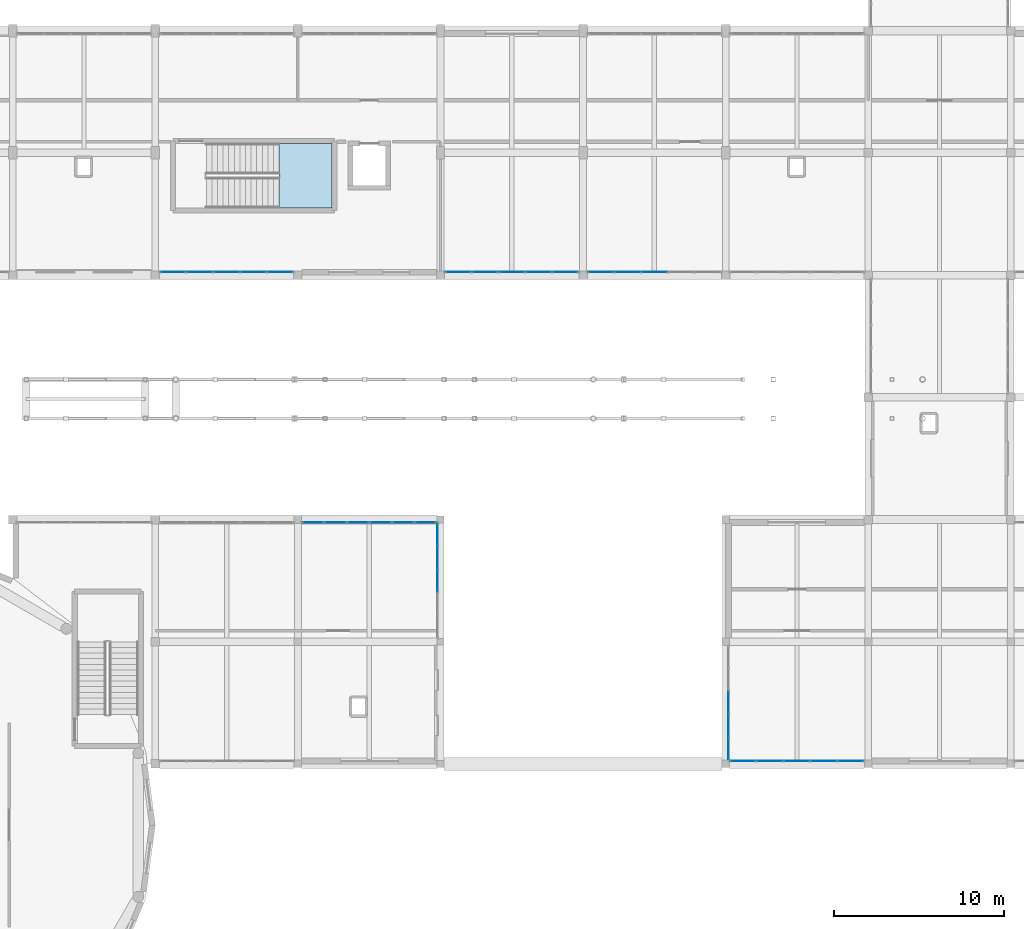
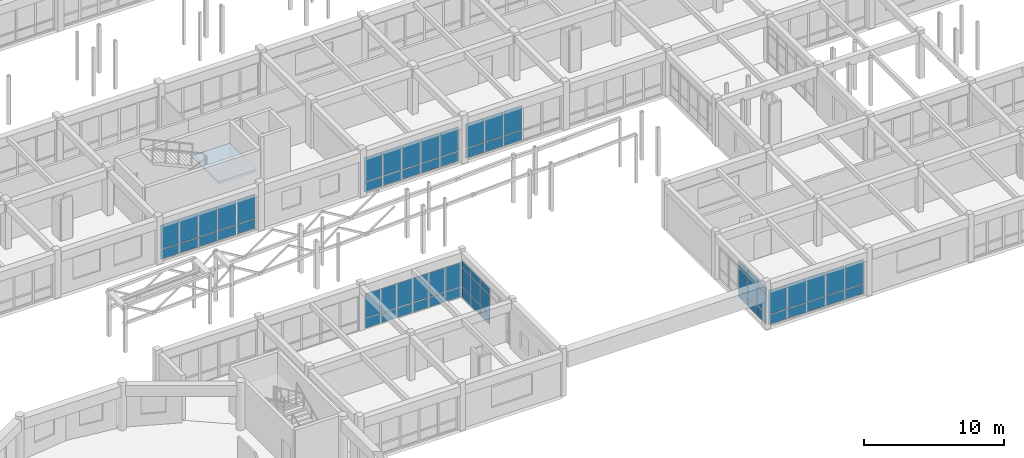
# One storey, part 102 of 147: 66 plates, 1 slab, 8 elements without a shape of their own.
"""IFC4 building model written with IfcOpenShell, lengths in metres."""

from ifc_helpers import new_model, si_unit, direction, frame, origin, origin_2d, place, context, subcontext, project, spatial, polyline, rectangle, outline, extrude, material, layer, layer_set, type_object, element, aggregate, save


model = new_model("IFC4")

# Units and contexts
model_context = context("Model", 3, precision=1e-05, world=origin(), true_north=direction((0.0, 1.0)))
body_context = subcontext(model_context, "Body", "Model", "MODEL_VIEW")
ifc_project = project(units=[si_unit("LENGTHUNIT", "METRE"), si_unit("AREAUNIT", "SQUARE_METRE"), si_unit("VOLUMEUNIT", "CUBIC_METRE"), si_unit("PLANEANGLEUNIT", "RADIAN"), si_unit("MASSUNIT", "GRAM", prefix="KILO")], contexts=[model_context])

# Site, building, storey
site_placement = place(None, origin())
site = spatial("IfcSite", under=ifc_project, at=site_placement, CompositionType="ELEMENT")
building_placement = place(site_placement, origin())
building = spatial("IfcBuilding", under=site, at=building_placement, Name="Malvenik Polytechnic", CompositionType="ELEMENT")
storey_placement = place(building_placement, frame((0.0, 0.0, 5.10009765625)))
storey = spatial("IfcBuildingStorey", under=building, at=storey_placement, Name="L01", CompositionType="ELEMENT", Elevation=5.10009765625)

# Curtain wall, plates
ifc_material_1 = material(Name="Anodised aluminium 6060-T6", Category="aluminium")
curtain_wall_type_1 = type_object("IfcCurtainWallType", Name="ARC-CW-CW-02", PredefinedType="NOTDEFINED", material=ifc_material_1)
curtain_wall_1_placement = place(storey_placement, origin())
curtain_wall_1 = element("IfcCurtainWall", 1, at=curtain_wall_1_placement, inside=storey, type_object=curtain_wall_type_1, Name="Unitised Curtain Wall CW-02 L01 #115", PredefinedType="NOTDEFINED")
ifc_material_2 = material(Name="Insulated low-E double glazing 8-16-8", Category="glass")
ifc_layer_1 = layer(ifc_material_2, 0.028076171875)
ifc_layer_set_1 = layer_set([ifc_layer_1], Name="Insulated low-E double glazing 8-16-8")
plate_type_1 = type_object("IfcPlateType", Name="ARC-CWP-CP-GLZ28", PredefinedType="CURTAIN_PANEL", material=ifc_layer_set_1)
plate_1_placement = place(storey_placement, frame((74.566650390625, 21.77001953125, 0.929931640625), z_axis=(0.0, 0.0, 1.0), x_axis=(-1.0, 0.0, 0.0)))
plate_1 = element("IfcPlate", 2, at=plate_1_placement, type_object=plate_type_1, Name="CW-02 panel 1.2", PredefinedType="CURTAIN_PANEL", context=body_context, shape_type="SweptSolid", body=[
    extrude(rectangle(XDim=1.500732421875, YDim=0.028076171875, at=origin_2d()), origin(), (0.0, 0.0, 1.0), 2.1201171875),
])
plate_2_placement = place(storey_placement, frame((72.99072265625, 21.77001953125, 0.929931640625), z_axis=(0.0, 0.0, 1.0), x_axis=(-1.0, 0.0, 0.0)))
plate_2 = element("IfcPlate", 3, at=plate_2_placement, type_object=plate_type_1, Name="CW-02 panel 2.2", PredefinedType="CURTAIN_PANEL", context=body_context, shape_type="SweptSolid", body=[
    extrude(rectangle(XDim=1.53076171875, YDim=0.028076171875, at=origin_2d()), origin(), (0.0, 0.0, 1.0), 2.1201171875),
])
plate_3_placement = place(storey_placement, frame((71.39990234375, 21.77001953125, 0.929931640625), z_axis=(0.0, 0.0, 1.0), x_axis=(-1.0, 0.0, 0.0)))
plate_3 = element("IfcPlate", 4, at=plate_3_placement, type_object=plate_type_1, Name="CW-02 panel 3.2", PredefinedType="CURTAIN_PANEL", context=body_context, shape_type="SweptSolid", body=[
    extrude(rectangle(XDim=1.53076171875, YDim=0.028076171875, at=origin_2d()), origin(), (0.0, 0.0, 1.0), 2.1201171875),
])
plate_4_placement = place(storey_placement, frame((69.80908203125, 21.77001953125, 0.929931640625), z_axis=(0.0, 0.0, 1.0), x_axis=(-1.0, 0.0, 0.0)))
plate_4 = element("IfcPlate", 5, at=plate_4_placement, type_object=plate_type_1, Name="CW-02 panel 4.2", PredefinedType="CURTAIN_PANEL", context=body_context, shape_type="SweptSolid", body=[
    extrude(rectangle(XDim=1.53076171875, YDim=0.028076171875, at=origin_2d()), origin(), (0.0, 0.0, 1.0), 2.1201171875),
])
plate_5_placement = place(storey_placement, frame((68.2333984375, 21.77001953125, 0.929931640625), z_axis=(0.0, 0.0, 1.0), x_axis=(-1.0, 0.0, 0.0)))
plate_5 = element("IfcPlate", 6, at=plate_5_placement, type_object=plate_type_1, Name="CW-02 panel 5.2", PredefinedType="CURTAIN_PANEL", context=body_context, shape_type="SweptSolid", body=[
    extrude(rectangle(XDim=1.500732421875, YDim=0.028076171875, at=origin_2d()), origin(), (0.0, 0.0, 1.0), 2.1201171875),
])

curtain_wall_type_2 = type_object("IfcCurtainWallType", Name="ARC-CW-CW-05", PredefinedType="NOTDEFINED", material=ifc_material_1)
curtain_wall_2_placement = place(storey_placement, origin())
curtain_wall_2 = element("IfcCurtainWall", 7, at=curtain_wall_2_placement, inside=storey, type_object=curtain_wall_type_2, Name="Unitised Curtain Wall CW-05 L01 #116", PredefinedType="NOTDEFINED")
plate_6_placement = place(storey_placement, frame((67.3701171875, 22.513427734375, 0.97998046875), z_axis=(0.0, 0.0, 1.0), x_axis=(0.0, 1.0, 0.0)))
plate_6 = element("IfcPlate", 8, at=plate_6_placement, type_object=plate_type_1, Name="CW-05 panel 1.2", PredefinedType="CURTAIN_PANEL", context=body_context, shape_type="SweptSolid", body=[
    extrude(rectangle(XDim=1.2607421875, YDim=0.028076171875, at=origin_2d()), origin(), (0.0, 0.0, 1.0), 1.64990234375),
])
plate_7_placement = place(storey_placement, frame((67.3701171875, 22.513427734375, 2.68994140625), z_axis=(0.0, 0.0, 1.0), x_axis=(0.0, 1.0, 0.0)))
plate_7 = element("IfcPlate", 9, at=plate_7_placement, type_object=plate_type_1, Name="CW-05 panel 1.3", PredefinedType="CURTAIN_PANEL", context=body_context, shape_type="SweptSolid", body=[
    extrude(rectangle(XDim=1.2607421875, YDim=0.028076171875, at=origin_2d()), origin(), (0.0, 0.0, 1.0), 0.56005859375),
])
plate_8_placement = place(storey_placement, frame((67.3701171875, 23.84912109375, 0.97998046875), z_axis=(0.0, 0.0, 1.0), x_axis=(0.0, 1.0, 0.0)))
plate_8 = element("IfcPlate", 10, at=plate_8_placement, type_object=plate_type_1, Name="CW-05 panel 2.2", PredefinedType="CURTAIN_PANEL", context=body_context, shape_type="SweptSolid", body=[
    extrude(rectangle(XDim=1.290771484375, YDim=0.028076171875, at=origin_2d()), origin(), (0.0, 0.0, 1.0), 1.64990234375),
])
plate_9_placement = place(storey_placement, frame((67.3701171875, 23.84912109375, 2.68994140625), z_axis=(0.0, 0.0, 1.0), x_axis=(0.0, 1.0, 0.0)))
plate_9 = element("IfcPlate", 11, at=plate_9_placement, type_object=plate_type_1, Name="CW-05 panel 2.3", PredefinedType="CURTAIN_PANEL", context=body_context, shape_type="SweptSolid", body=[
    extrude(rectangle(XDim=1.290771484375, YDim=0.028076171875, at=origin_2d()), origin(), (0.0, 0.0, 1.0), 0.56005859375),
])
plate_10_placement = place(storey_placement, frame((67.3701171875, 25.199951171875, 0.97998046875), z_axis=(0.0, 0.0, 1.0), x_axis=(0.0, 1.0, 0.0)))
plate_10 = element("IfcPlate", 12, at=plate_10_placement, type_object=plate_type_1, Name="CW-05 panel 3.2", PredefinedType="CURTAIN_PANEL", context=body_context, shape_type="SweptSolid", body=[
    extrude(rectangle(XDim=1.290771484375, YDim=0.028076171875, at=origin_2d()), origin(), (0.0, 0.0, 1.0), 1.64990234375),
])
plate_11_placement = place(storey_placement, frame((67.3701171875, 25.199951171875, 2.68994140625), z_axis=(0.0, 0.0, 1.0), x_axis=(0.0, 1.0, 0.0)))
plate_11 = element("IfcPlate", 13, at=plate_11_placement, type_object=plate_type_1, Name="CW-05 panel 3.3", PredefinedType="CURTAIN_PANEL", context=body_context, shape_type="SweptSolid", body=[
    extrude(rectangle(XDim=1.290771484375, YDim=0.028076171875, at=origin_2d()), origin(), (0.0, 0.0, 1.0), 0.56005859375),
])

curtain_wall_3_placement = place(storey_placement, origin())
curtain_wall_3 = element("IfcCurtainWall", 14, at=curtain_wall_3_placement, inside=storey, type_object=curtain_wall_type_1, Name="Unitised Curtain Wall CW-02 L01 #119", PredefinedType="NOTDEFINED")
plate_12_placement = place(storey_placement, frame((63.0, 50.570068359375, 0.929931640625), z_axis=(0.0, 0.0, 1.0), x_axis=(-1.0, 0.0, 0.0)))
plate_12 = element("IfcPlate", 15, at=plate_12_placement, type_object=plate_type_1, Name="CW-02 panel 3.2", PredefinedType="CURTAIN_PANEL", context=body_context, shape_type="SweptSolid", body=[
    extrude(rectangle(XDim=1.520751953125, YDim=0.028076171875, at=origin_2d()), origin(), (0.0, 0.0, 1.0), 2.1201171875),
])
plate_13_placement = place(storey_placement, frame((61.419189453125, 50.570068359375, 0.929931640625), z_axis=(0.0, 0.0, 1.0), x_axis=(-1.0, 0.0, 0.0)))
plate_13 = element("IfcPlate", 16, at=plate_13_placement, type_object=plate_type_1, Name="CW-02 panel 4.2", PredefinedType="CURTAIN_PANEL", context=body_context, shape_type="SweptSolid", body=[
    extrude(rectangle(XDim=1.520751953125, YDim=0.028076171875, at=origin_2d()), origin(), (0.0, 0.0, 1.0), 2.1201171875),
])
plate_14_placement = place(storey_placement, frame((59.853515625, 50.570068359375, 0.929931640625), z_axis=(0.0, 0.0, 1.0), x_axis=(-1.0, 0.0, 0.0)))
plate_14 = element("IfcPlate", 17, at=plate_14_placement, type_object=plate_type_1, Name="CW-02 panel 5.2", PredefinedType="CURTAIN_PANEL", context=body_context, shape_type="SweptSolid", body=[
    extrude(rectangle(XDim=1.49072265625, YDim=0.028076171875, at=origin_2d()), origin(), (0.0, 0.0, 1.0), 2.1201171875),
])

curtain_wall_4_placement = place(storey_placement, origin())
curtain_wall_4 = element("IfcCurtainWall", 18, at=curtain_wall_4_placement, inside=storey, type_object=curtain_wall_type_1, Name="Unitised Curtain Wall CW-02 L01 #120", PredefinedType="NOTDEFINED")
plate_15_placement = place(storey_placement, frame((57.74658203125, 50.570068359375, 0.929931640625), z_axis=(0.0, 0.0, 1.0), x_axis=(-1.0, 0.0, 0.0)))
plate_15 = element("IfcPlate", 19, at=plate_15_placement, type_object=plate_type_1, Name="CW-02 panel 1.2", PredefinedType="CURTAIN_PANEL", context=body_context, shape_type="SweptSolid", body=[
    extrude(rectangle(XDim=1.49072265625, YDim=0.028076171875, at=origin_2d()), origin(), (0.0, 0.0, 1.0), 2.1201171875),
])
plate_16_placement = place(storey_placement, frame((56.180908203125, 50.570068359375, 0.929931640625), z_axis=(0.0, 0.0, 1.0), x_axis=(-1.0, 0.0, 0.0)))
plate_16 = element("IfcPlate", 20, at=plate_16_placement, type_object=plate_type_1, Name="CW-02 panel 2.2", PredefinedType="CURTAIN_PANEL", context=body_context, shape_type="SweptSolid", body=[
    extrude(rectangle(XDim=1.520751953125, YDim=0.028076171875, at=origin_2d()), origin(), (0.0, 0.0, 1.0), 2.1201171875),
])
plate_17_placement = place(storey_placement, frame((54.60009765625, 50.570068359375, 0.929931640625), z_axis=(0.0, 0.0, 1.0), x_axis=(-1.0, 0.0, 0.0)))
plate_17 = element("IfcPlate", 21, at=plate_17_placement, type_object=plate_type_1, Name="CW-02 panel 3.2", PredefinedType="CURTAIN_PANEL", context=body_context, shape_type="SweptSolid", body=[
    extrude(rectangle(XDim=1.520751953125, YDim=0.028076171875, at=origin_2d()), origin(), (0.0, 0.0, 1.0), 2.1201171875),
])
plate_18_placement = place(storey_placement, frame((53.019287109375, 50.570068359375, 0.929931640625), z_axis=(0.0, 0.0, 1.0), x_axis=(-1.0, 0.0, 0.0)))
plate_18 = element("IfcPlate", 22, at=plate_18_placement, type_object=plate_type_1, Name="CW-02 panel 4.2", PredefinedType="CURTAIN_PANEL", context=body_context, shape_type="SweptSolid", body=[
    extrude(rectangle(XDim=1.520751953125, YDim=0.028076171875, at=origin_2d()), origin(), (0.0, 0.0, 1.0), 2.1201171875),
])
plate_19_placement = place(storey_placement, frame((51.453369140625, 50.570068359375, 0.929931640625), z_axis=(0.0, 0.0, 1.0), x_axis=(-1.0, 0.0, 0.0)))
plate_19 = element("IfcPlate", 23, at=plate_19_placement, type_object=plate_type_1, Name="CW-02 panel 5.2", PredefinedType="CURTAIN_PANEL", context=body_context, shape_type="SweptSolid", body=[
    extrude(rectangle(XDim=1.49072265625, YDim=0.028076171875, at=origin_2d()), origin(), (0.0, 0.0, 1.0), 2.1201171875),
])

curtain_wall_5_placement = place(storey_placement, origin())
curtain_wall_5 = element("IfcCurtainWall", 24, at=curtain_wall_5_placement, inside=storey, type_object=curtain_wall_type_1, Name="Unitised Curtain Wall CW-02 L01 #121", PredefinedType="NOTDEFINED")
plate_20_placement = place(storey_placement, frame((40.946533203125, 50.570068359375, 0.929931640625), z_axis=(0.0, 0.0, 1.0), x_axis=(-1.0, 0.0, 0.0)))
plate_20 = element("IfcPlate", 25, at=plate_20_placement, type_object=plate_type_1, Name="CW-02 panel 1.2", PredefinedType="CURTAIN_PANEL", context=body_context, shape_type="SweptSolid", body=[
    extrude(rectangle(XDim=1.49072265625, YDim=0.028076171875, at=origin_2d()), origin(), (0.0, 0.0, 1.0), 2.1201171875),
])
plate_21_placement = place(storey_placement, frame((39.380859375, 50.570068359375, 0.929931640625), z_axis=(0.0, 0.0, 1.0), x_axis=(-1.0, 0.0, 0.0)))
plate_21 = element("IfcPlate", 26, at=plate_21_placement, type_object=plate_type_1, Name="CW-02 panel 2.2", PredefinedType="CURTAIN_PANEL", context=body_context, shape_type="SweptSolid", body=[
    extrude(rectangle(XDim=1.520751953125, YDim=0.028076171875, at=origin_2d()), origin(), (0.0, 0.0, 1.0), 2.1201171875),
])
plate_22_placement = place(storey_placement, frame((37.800048828125, 50.570068359375, 0.929931640625), z_axis=(0.0, 0.0, 1.0), x_axis=(-1.0, 0.0, 0.0)))
plate_22 = element("IfcPlate", 27, at=plate_22_placement, type_object=plate_type_1, Name="CW-02 panel 3.2", PredefinedType="CURTAIN_PANEL", context=body_context, shape_type="SweptSolid", body=[
    extrude(rectangle(XDim=1.520751953125, YDim=0.028076171875, at=origin_2d()), origin(), (0.0, 0.0, 1.0), 2.1201171875),
])
plate_23_placement = place(storey_placement, frame((36.21923828125, 50.570068359375, 0.929931640625), z_axis=(0.0, 0.0, 1.0), x_axis=(-1.0, 0.0, 0.0)))
plate_23 = element("IfcPlate", 28, at=plate_23_placement, type_object=plate_type_1, Name="CW-02 panel 4.2", PredefinedType="CURTAIN_PANEL", context=body_context, shape_type="SweptSolid", body=[
    extrude(rectangle(XDim=1.520751953125, YDim=0.028076171875, at=origin_2d()), origin(), (0.0, 0.0, 1.0), 2.1201171875),
])
plate_24_placement = place(storey_placement, frame((34.6533203125, 50.570068359375, 0.929931640625), z_axis=(0.0, 0.0, 1.0), x_axis=(-1.0, 0.0, 0.0)))
plate_24 = element("IfcPlate", 29, at=plate_24_placement, type_object=plate_type_1, Name="CW-02 panel 5.2", PredefinedType="CURTAIN_PANEL", context=body_context, shape_type="SweptSolid", body=[
    extrude(rectangle(XDim=1.49072265625, YDim=0.028076171875, at=origin_2d()), origin(), (0.0, 0.0, 1.0), 2.1201171875),
])

curtain_wall_6_placement = place(storey_placement, origin())
curtain_wall_6 = element("IfcCurtainWall", 30, at=curtain_wall_6_placement, inside=storey, type_object=curtain_wall_type_1, Name="Unitised Curtain Wall CW-02 L01 #132", PredefinedType="NOTDEFINED")
plate_25_placement = place(storey_placement, frame((42.90283203125, 35.830078125, 0.929931640625), z_axis=(0.0, 0.0, 1.0), x_axis=(1.0, 0.0, 0.0)))
plate_25 = element("IfcPlate", 31, at=plate_25_placement, type_object=plate_type_1, Name="CW-02 panel 1.2", PredefinedType="CURTAIN_PANEL", context=body_context, shape_type="SweptSolid", body=[
    extrude(rectangle(XDim=1.23974609375, YDim=0.028076171875, at=origin_2d()), origin(), (0.0, 0.0, 1.0), 2.1201171875),
])
plate_26_placement = place(storey_placement, frame((44.2177734375, 35.830078125, 0.929931640625), z_axis=(0.0, 0.0, 1.0), x_axis=(1.0, 0.0, 0.0)))
plate_26 = element("IfcPlate", 32, at=plate_26_placement, type_object=plate_type_1, Name="CW-02 panel 2.2", PredefinedType="CURTAIN_PANEL", context=body_context, shape_type="SweptSolid", body=[
    extrude(rectangle(XDim=1.269775390625, YDim=0.028076171875, at=origin_2d()), origin(), (0.0, 0.0, 1.0), 2.1201171875),
])
plate_27_placement = place(storey_placement, frame((45.547607421875, 35.830078125, 0.929931640625), z_axis=(0.0, 0.0, 1.0), x_axis=(1.0, 0.0, 0.0)))
plate_27 = element("IfcPlate", 33, at=plate_27_placement, type_object=plate_type_1, Name="CW-02 panel 3.2", PredefinedType="CURTAIN_PANEL", context=body_context, shape_type="SweptSolid", body=[
    extrude(rectangle(XDim=1.269775390625, YDim=0.028076171875, at=origin_2d()), origin(), (0.0, 0.0, 1.0), 2.1201171875),
])
plate_28_placement = place(storey_placement, frame((46.87744140625, 35.830078125, 0.929931640625), z_axis=(0.0, 0.0, 1.0), x_axis=(1.0, 0.0, 0.0)))
plate_28 = element("IfcPlate", 34, at=plate_28_placement, type_object=plate_type_1, Name="CW-02 panel 4.2", PredefinedType="CURTAIN_PANEL", context=body_context, shape_type="SweptSolid", body=[
    extrude(rectangle(XDim=1.269775390625, YDim=0.028076171875, at=origin_2d()), origin(), (0.0, 0.0, 1.0), 2.1201171875),
])
plate_29_placement = place(storey_placement, frame((48.207275390625, 35.830078125, 0.929931640625), z_axis=(0.0, 0.0, 1.0), x_axis=(1.0, 0.0, 0.0)))
plate_29 = element("IfcPlate", 35, at=plate_29_placement, type_object=plate_type_1, Name="CW-02 panel 5.2", PredefinedType="CURTAIN_PANEL", context=body_context, shape_type="SweptSolid", body=[
    extrude(rectangle(XDim=1.269775390625, YDim=0.028076171875, at=origin_2d()), origin(), (0.0, 0.0, 1.0), 2.1201171875),
])
plate_30_placement = place(storey_placement, frame((49.52197265625, 35.830078125, 0.929931640625), z_axis=(0.0, 0.0, 1.0), x_axis=(1.0, 0.0, 0.0)))
plate_30 = element("IfcPlate", 36, at=plate_30_placement, type_object=plate_type_1, Name="CW-02 panel 6.2", PredefinedType="CURTAIN_PANEL", context=body_context, shape_type="SweptSolid", body=[
    extrude(rectangle(XDim=1.23974609375, YDim=0.028076171875, at=origin_2d()), origin(), (0.0, 0.0, 1.0), 2.1201171875),
])

curtain_wall_7_placement = place(storey_placement, origin())
curtain_wall_7 = element("IfcCurtainWall", 37, at=curtain_wall_7_placement, inside=storey, type_object=curtain_wall_type_2, Name="Unitised Curtain Wall CW-05 L01 #133", PredefinedType="NOTDEFINED")
plate_31_placement = place(storey_placement, frame((50.22998046875, 35.106689453125, 0.97998046875), z_axis=(0.0, 0.0, 1.0), x_axis=(0.0, -1.0, 0.0)))
plate_31 = element("IfcPlate", 38, at=plate_31_placement, type_object=plate_type_1, Name="CW-05 panel 1.2", PredefinedType="CURTAIN_PANEL", context=body_context, shape_type="SweptSolid", body=[
    extrude(rectangle(XDim=1.270751953125, YDim=0.028076171875, at=origin_2d()), origin(), (0.0, 0.0, 1.0), 1.64990234375),
])
plate_32_placement = place(storey_placement, frame((50.22998046875, 35.106689453125, 2.68994140625), z_axis=(0.0, 0.0, 1.0), x_axis=(0.0, -1.0, 0.0)))
plate_32 = element("IfcPlate", 39, at=plate_32_placement, type_object=plate_type_1, Name="CW-05 panel 1.3", PredefinedType="CURTAIN_PANEL", context=body_context, shape_type="SweptSolid", body=[
    extrude(rectangle(XDim=1.270751953125, YDim=0.028076171875, at=origin_2d()), origin(), (0.0, 0.0, 1.0), 0.56005859375),
])
plate_33_placement = place(storey_placement, frame((50.22998046875, 33.7607421875, 0.97998046875), z_axis=(0.0, 0.0, 1.0), x_axis=(0.0, -1.0, 0.0)))
plate_33 = element("IfcPlate", 40, at=plate_33_placement, type_object=plate_type_1, Name="CW-05 panel 2.2", PredefinedType="CURTAIN_PANEL", context=body_context, shape_type="SweptSolid", body=[
    extrude(rectangle(XDim=1.30078125, YDim=0.028076171875, at=origin_2d()), origin(), (0.0, 0.0, 1.0), 1.64990234375),
])
plate_34_placement = place(storey_placement, frame((50.22998046875, 33.7607421875, 2.68994140625), z_axis=(0.0, 0.0, 1.0), x_axis=(0.0, -1.0, 0.0)))
plate_34 = element("IfcPlate", 41, at=plate_34_placement, type_object=plate_type_1, Name="CW-05 panel 2.3", PredefinedType="CURTAIN_PANEL", context=body_context, shape_type="SweptSolid", body=[
    extrude(rectangle(XDim=1.30078125, YDim=0.028076171875, at=origin_2d()), origin(), (0.0, 0.0, 1.0), 0.56005859375),
])
plate_35_placement = place(storey_placement, frame((50.22998046875, 32.39990234375, 0.97998046875), z_axis=(0.0, 0.0, 1.0), x_axis=(0.0, -1.0, 0.0)))
plate_35 = element("IfcPlate", 42, at=plate_35_placement, type_object=plate_type_1, Name="CW-05 panel 3.2", PredefinedType="CURTAIN_PANEL", context=body_context, shape_type="SweptSolid", body=[
    extrude(rectangle(XDim=1.30078125, YDim=0.028076171875, at=origin_2d()), origin(), (0.0, 0.0, 1.0), 1.64990234375),
])
plate_36_placement = place(storey_placement, frame((50.22998046875, 32.39990234375, 2.68994140625), z_axis=(0.0, 0.0, 1.0), x_axis=(0.0, -1.0, 0.0)))
plate_36 = element("IfcPlate", 43, at=plate_36_placement, type_object=plate_type_1, Name="CW-05 panel 3.3", PredefinedType="CURTAIN_PANEL", context=body_context, shape_type="SweptSolid", body=[
    extrude(rectangle(XDim=1.30078125, YDim=0.028076171875, at=origin_2d()), origin(), (0.0, 0.0, 1.0), 0.56005859375),
])

# Plate
ifc_material_3 = material(Name="Insulated aluminium spandrel cassette 42mm", Category="aluminium")
ifc_layer_2 = layer(ifc_material_3, 0.0419921875)
ifc_layer_set_2 = layer_set([ifc_layer_2], Name="Insulated aluminium spandrel cassette 42mm")
plate_type_2 = type_object("IfcPlateType", Name="ARC-CWP-CP-SPN42", PredefinedType="CURTAIN_PANEL", material=ifc_layer_set_2)
plate_37_placement = place(storey_placement, frame((74.566650390625, 21.77001953125, 0.059814453125), z_axis=(0.0, 0.0, 1.0), x_axis=(-1.0, 0.0, 0.0)))
plate_37 = element("IfcPlate", 44, at=plate_37_placement, type_object=plate_type_2, Name="CW-02 panel 1.1", PredefinedType="CURTAIN_PANEL", context=body_context, shape_type="SweptSolid", body=[
    extrude(rectangle(XDim=1.500732421875, YDim=0.028076171875, at=origin_2d()), origin(), (0.0, 0.0, 1.0), 0.81005859375),
])

plate_38_placement = place(storey_placement, frame((72.99072265625, 21.77001953125, 0.059814453125), z_axis=(0.0, 0.0, 1.0), x_axis=(-1.0, 0.0, 0.0)))
plate_38 = element("IfcPlate", 45, at=plate_38_placement, type_object=plate_type_2, Name="CW-02 panel 2.1", PredefinedType="CURTAIN_PANEL", context=body_context, shape_type="SweptSolid", body=[
    extrude(rectangle(XDim=1.53076171875, YDim=0.028076171875, at=origin_2d()), origin(), (0.0, 0.0, 1.0), 0.81005859375),
])

plate_39_placement = place(storey_placement, frame((71.39990234375, 21.77001953125, 0.059814453125), z_axis=(0.0, 0.0, 1.0), x_axis=(-1.0, 0.0, 0.0)))
plate_39 = element("IfcPlate", 46, at=plate_39_placement, type_object=plate_type_2, Name="CW-02 panel 3.1", PredefinedType="CURTAIN_PANEL", context=body_context, shape_type="SweptSolid", body=[
    extrude(rectangle(XDim=1.53076171875, YDim=0.028076171875, at=origin_2d()), origin(), (0.0, 0.0, 1.0), 0.81005859375),
])

plate_40_placement = place(storey_placement, frame((69.80908203125, 21.77001953125, 0.059814453125), z_axis=(0.0, 0.0, 1.0), x_axis=(-1.0, 0.0, 0.0)))
plate_40 = element("IfcPlate", 47, at=plate_40_placement, type_object=plate_type_2, Name="CW-02 panel 4.1", PredefinedType="CURTAIN_PANEL", context=body_context, shape_type="SweptSolid", body=[
    extrude(rectangle(XDim=1.53076171875, YDim=0.028076171875, at=origin_2d()), origin(), (0.0, 0.0, 1.0), 0.81005859375),
])

plate_41_placement = place(storey_placement, frame((68.2333984375, 21.77001953125, 0.059814453125), z_axis=(0.0, 0.0, 1.0), x_axis=(-1.0, 0.0, 0.0)))
plate_41 = element("IfcPlate", 48, at=plate_41_placement, type_object=plate_type_2, Name="CW-02 panel 5.1", PredefinedType="CURTAIN_PANEL", context=body_context, shape_type="SweptSolid", body=[
    extrude(rectangle(XDim=1.500732421875, YDim=0.028076171875, at=origin_2d()), origin(), (0.0, 0.0, 1.0), 0.81005859375),
])

aggregate(curtain_wall_1, [plate_37, plate_1, plate_38, plate_2, plate_39, plate_3, plate_40, plate_4, plate_41, plate_5])

plate_42_placement = place(storey_placement, frame((67.3701171875, 22.513427734375, 0.06005859375), z_axis=(0.0, 0.0, 1.0), x_axis=(0.0, 1.0, 0.0)))
plate_42 = element("IfcPlate", 49, at=plate_42_placement, type_object=plate_type_2, Name="CW-05 panel 1.1", PredefinedType="CURTAIN_PANEL", context=body_context, shape_type="SweptSolid", body=[
    extrude(rectangle(XDim=1.2607421875, YDim=0.028076171875, at=origin_2d()), origin(), (0.0, 0.0, 1.0), 0.860107421875),
])

plate_43_placement = place(storey_placement, frame((67.3701171875, 23.84912109375, 0.06005859375), z_axis=(0.0, 0.0, 1.0), x_axis=(0.0, 1.0, 0.0)))
plate_43 = element("IfcPlate", 50, at=plate_43_placement, type_object=plate_type_2, Name="CW-05 panel 2.1", PredefinedType="CURTAIN_PANEL", context=body_context, shape_type="SweptSolid", body=[
    extrude(rectangle(XDim=1.290771484375, YDim=0.028076171875, at=origin_2d()), origin(), (0.0, 0.0, 1.0), 0.860107421875),
])

plate_44_placement = place(storey_placement, frame((67.3701171875, 25.199951171875, 0.06005859375), z_axis=(0.0, 0.0, 1.0), x_axis=(0.0, 1.0, 0.0)))
plate_44 = element("IfcPlate", 51, at=plate_44_placement, type_object=plate_type_2, Name="CW-05 panel 3.1", PredefinedType="CURTAIN_PANEL", context=body_context, shape_type="SweptSolid", body=[
    extrude(rectangle(XDim=1.290771484375, YDim=0.028076171875, at=origin_2d()), origin(), (0.0, 0.0, 1.0), 0.860107421875),
])

aggregate(curtain_wall_2, [plate_42, plate_6, plate_7, plate_43, plate_8, plate_9, plate_44, plate_10, plate_11])

plate_45_placement = place(storey_placement, frame((63.0, 50.570068359375, 0.059814453125), z_axis=(0.0, 0.0, 1.0), x_axis=(-1.0, 0.0, 0.0)))
plate_45 = element("IfcPlate", 52, at=plate_45_placement, type_object=plate_type_2, Name="CW-02 panel 3.1", PredefinedType="CURTAIN_PANEL", context=body_context, shape_type="SweptSolid", body=[
    extrude(rectangle(XDim=1.520751953125, YDim=0.028076171875, at=origin_2d()), origin(), (0.0, 0.0, 1.0), 0.81005859375),
])

plate_46_placement = place(storey_placement, frame((61.419189453125, 50.570068359375, 0.059814453125), z_axis=(0.0, 0.0, 1.0), x_axis=(-1.0, 0.0, 0.0)))
plate_46 = element("IfcPlate", 53, at=plate_46_placement, type_object=plate_type_2, Name="CW-02 panel 4.1", PredefinedType="CURTAIN_PANEL", context=body_context, shape_type="SweptSolid", body=[
    extrude(rectangle(XDim=1.520751953125, YDim=0.028076171875, at=origin_2d()), origin(), (0.0, 0.0, 1.0), 0.81005859375),
])

plate_47_placement = place(storey_placement, frame((59.853515625, 50.570068359375, 0.059814453125), z_axis=(0.0, 0.0, 1.0), x_axis=(-1.0, 0.0, 0.0)))
plate_47 = element("IfcPlate", 54, at=plate_47_placement, type_object=plate_type_2, Name="CW-02 panel 5.1", PredefinedType="CURTAIN_PANEL", context=body_context, shape_type="SweptSolid", body=[
    extrude(rectangle(XDim=1.49072265625, YDim=0.028076171875, at=origin_2d()), origin(), (0.0, 0.0, 1.0), 0.81005859375),
])

aggregate(curtain_wall_3, [plate_45, plate_12, plate_46, plate_13, plate_47, plate_14])

plate_48_placement = place(storey_placement, frame((57.74658203125, 50.570068359375, 0.059814453125), z_axis=(0.0, 0.0, 1.0), x_axis=(-1.0, 0.0, 0.0)))
plate_48 = element("IfcPlate", 55, at=plate_48_placement, type_object=plate_type_2, Name="CW-02 panel 1.1", PredefinedType="CURTAIN_PANEL", context=body_context, shape_type="SweptSolid", body=[
    extrude(rectangle(XDim=1.49072265625, YDim=0.028076171875, at=origin_2d()), origin(), (0.0, 0.0, 1.0), 0.81005859375),
])

plate_49_placement = place(storey_placement, frame((56.180908203125, 50.570068359375, 0.059814453125), z_axis=(0.0, 0.0, 1.0), x_axis=(-1.0, 0.0, 0.0)))
plate_49 = element("IfcPlate", 56, at=plate_49_placement, type_object=plate_type_2, Name="CW-02 panel 2.1", PredefinedType="CURTAIN_PANEL", context=body_context, shape_type="SweptSolid", body=[
    extrude(rectangle(XDim=1.520751953125, YDim=0.028076171875, at=origin_2d()), origin(), (0.0, 0.0, 1.0), 0.81005859375),
])

plate_50_placement = place(storey_placement, frame((54.60009765625, 50.570068359375, 0.059814453125), z_axis=(0.0, 0.0, 1.0), x_axis=(-1.0, 0.0, 0.0)))
plate_50 = element("IfcPlate", 57, at=plate_50_placement, type_object=plate_type_2, Name="CW-02 panel 3.1", PredefinedType="CURTAIN_PANEL", context=body_context, shape_type="SweptSolid", body=[
    extrude(rectangle(XDim=1.520751953125, YDim=0.028076171875, at=origin_2d()), origin(), (0.0, 0.0, 1.0), 0.81005859375),
])

plate_51_placement = place(storey_placement, frame((53.019287109375, 50.570068359375, 0.059814453125), z_axis=(0.0, 0.0, 1.0), x_axis=(-1.0, 0.0, 0.0)))
plate_51 = element("IfcPlate", 58, at=plate_51_placement, type_object=plate_type_2, Name="CW-02 panel 4.1", PredefinedType="CURTAIN_PANEL", context=body_context, shape_type="SweptSolid", body=[
    extrude(rectangle(XDim=1.520751953125, YDim=0.028076171875, at=origin_2d()), origin(), (0.0, 0.0, 1.0), 0.81005859375),
])

plate_52_placement = place(storey_placement, frame((51.453369140625, 50.570068359375, 0.059814453125), z_axis=(0.0, 0.0, 1.0), x_axis=(-1.0, 0.0, 0.0)))
plate_52 = element("IfcPlate", 59, at=plate_52_placement, type_object=plate_type_2, Name="CW-02 panel 5.1", PredefinedType="CURTAIN_PANEL", context=body_context, shape_type="SweptSolid", body=[
    extrude(rectangle(XDim=1.49072265625, YDim=0.028076171875, at=origin_2d()), origin(), (0.0, 0.0, 1.0), 0.81005859375),
])

aggregate(curtain_wall_4, [plate_48, plate_15, plate_49, plate_16, plate_50, plate_17, plate_51, plate_18, plate_52, plate_19])

plate_53_placement = place(storey_placement, frame((40.946533203125, 50.570068359375, 0.059814453125), z_axis=(0.0, 0.0, 1.0), x_axis=(-1.0, 0.0, 0.0)))
plate_53 = element("IfcPlate", 60, at=plate_53_placement, type_object=plate_type_2, Name="CW-02 panel 1.1", PredefinedType="CURTAIN_PANEL", context=body_context, shape_type="SweptSolid", body=[
    extrude(rectangle(XDim=1.49072265625, YDim=0.028076171875, at=origin_2d()), origin(), (0.0, 0.0, 1.0), 0.81005859375),
])

plate_54_placement = place(storey_placement, frame((39.380859375, 50.570068359375, 0.059814453125), z_axis=(0.0, 0.0, 1.0), x_axis=(-1.0, 0.0, 0.0)))
plate_54 = element("IfcPlate", 61, at=plate_54_placement, type_object=plate_type_2, Name="CW-02 panel 2.1", PredefinedType="CURTAIN_PANEL", context=body_context, shape_type="SweptSolid", body=[
    extrude(rectangle(XDim=1.520751953125, YDim=0.028076171875, at=origin_2d()), origin(), (0.0, 0.0, 1.0), 0.81005859375),
])

plate_55_placement = place(storey_placement, frame((37.800048828125, 50.570068359375, 0.059814453125), z_axis=(0.0, 0.0, 1.0), x_axis=(-1.0, 0.0, 0.0)))
plate_55 = element("IfcPlate", 62, at=plate_55_placement, type_object=plate_type_2, Name="CW-02 panel 3.1", PredefinedType="CURTAIN_PANEL", context=body_context, shape_type="SweptSolid", body=[
    extrude(rectangle(XDim=1.520751953125, YDim=0.028076171875, at=origin_2d()), origin(), (0.0, 0.0, 1.0), 0.81005859375),
])

plate_56_placement = place(storey_placement, frame((36.21923828125, 50.570068359375, 0.059814453125), z_axis=(0.0, 0.0, 1.0), x_axis=(-1.0, 0.0, 0.0)))
plate_56 = element("IfcPlate", 63, at=plate_56_placement, type_object=plate_type_2, Name="CW-02 panel 4.1", PredefinedType="CURTAIN_PANEL", context=body_context, shape_type="SweptSolid", body=[
    extrude(rectangle(XDim=1.520751953125, YDim=0.028076171875, at=origin_2d()), origin(), (0.0, 0.0, 1.0), 0.81005859375),
])

plate_57_placement = place(storey_placement, frame((34.6533203125, 50.570068359375, 0.059814453125), z_axis=(0.0, 0.0, 1.0), x_axis=(-1.0, 0.0, 0.0)))
plate_57 = element("IfcPlate", 64, at=plate_57_placement, type_object=plate_type_2, Name="CW-02 panel 5.1", PredefinedType="CURTAIN_PANEL", context=body_context, shape_type="SweptSolid", body=[
    extrude(rectangle(XDim=1.49072265625, YDim=0.028076171875, at=origin_2d()), origin(), (0.0, 0.0, 1.0), 0.81005859375),
])

aggregate(curtain_wall_5, [plate_53, plate_20, plate_54, plate_21, plate_55, plate_22, plate_56, plate_23, plate_57, plate_24])

plate_58_placement = place(storey_placement, frame((42.90283203125, 35.830078125, 0.059814453125), z_axis=(0.0, 0.0, 1.0), x_axis=(1.0, 0.0, 0.0)))
plate_58 = element("IfcPlate", 65, at=plate_58_placement, type_object=plate_type_2, Name="CW-02 panel 1.1", PredefinedType="CURTAIN_PANEL", context=body_context, shape_type="SweptSolid", body=[
    extrude(rectangle(XDim=1.23974609375, YDim=0.028076171875, at=origin_2d()), origin(), (0.0, 0.0, 1.0), 0.81005859375),
])

plate_59_placement = place(storey_placement, frame((44.2177734375, 35.830078125, 0.059814453125), z_axis=(0.0, 0.0, 1.0), x_axis=(1.0, 0.0, 0.0)))
plate_59 = element("IfcPlate", 66, at=plate_59_placement, type_object=plate_type_2, Name="CW-02 panel 2.1", PredefinedType="CURTAIN_PANEL", context=body_context, shape_type="SweptSolid", body=[
    extrude(rectangle(XDim=1.269775390625, YDim=0.028076171875, at=origin_2d()), origin(), (0.0, 0.0, 1.0), 0.81005859375),
])

plate_60_placement = place(storey_placement, frame((45.547607421875, 35.830078125, 0.059814453125), z_axis=(0.0, 0.0, 1.0), x_axis=(1.0, 0.0, 0.0)))
plate_60 = element("IfcPlate", 67, at=plate_60_placement, type_object=plate_type_2, Name="CW-02 panel 3.1", PredefinedType="CURTAIN_PANEL", context=body_context, shape_type="SweptSolid", body=[
    extrude(rectangle(XDim=1.269775390625, YDim=0.028076171875, at=origin_2d()), origin(), (0.0, 0.0, 1.0), 0.81005859375),
])

plate_61_placement = place(storey_placement, frame((46.87744140625, 35.830078125, 0.059814453125), z_axis=(0.0, 0.0, 1.0), x_axis=(1.0, 0.0, 0.0)))
plate_61 = element("IfcPlate", 68, at=plate_61_placement, type_object=plate_type_2, Name="CW-02 panel 4.1", PredefinedType="CURTAIN_PANEL", context=body_context, shape_type="SweptSolid", body=[
    extrude(rectangle(XDim=1.269775390625, YDim=0.028076171875, at=origin_2d()), origin(), (0.0, 0.0, 1.0), 0.81005859375),
])

plate_62_placement = place(storey_placement, frame((48.207275390625, 35.830078125, 0.059814453125), z_axis=(0.0, 0.0, 1.0), x_axis=(1.0, 0.0, 0.0)))
plate_62 = element("IfcPlate", 69, at=plate_62_placement, type_object=plate_type_2, Name="CW-02 panel 5.1", PredefinedType="CURTAIN_PANEL", context=body_context, shape_type="SweptSolid", body=[
    extrude(rectangle(XDim=1.269775390625, YDim=0.028076171875, at=origin_2d()), origin(), (0.0, 0.0, 1.0), 0.81005859375),
])

plate_63_placement = place(storey_placement, frame((49.52197265625, 35.830078125, 0.059814453125), z_axis=(0.0, 0.0, 1.0), x_axis=(1.0, 0.0, 0.0)))
plate_63 = element("IfcPlate", 70, at=plate_63_placement, type_object=plate_type_2, Name="CW-02 panel 6.1", PredefinedType="CURTAIN_PANEL", context=body_context, shape_type="SweptSolid", body=[
    extrude(rectangle(XDim=1.23974609375, YDim=0.028076171875, at=origin_2d()), origin(), (0.0, 0.0, 1.0), 0.81005859375),
])

aggregate(curtain_wall_6, [plate_58, plate_25, plate_59, plate_26, plate_60, plate_27, plate_61, plate_28, plate_62, plate_29, plate_63, plate_30])

plate_64_placement = place(storey_placement, frame((50.22998046875, 35.106689453125, 0.06005859375), z_axis=(0.0, 0.0, 1.0), x_axis=(0.0, -1.0, 0.0)))
plate_64 = element("IfcPlate", 71, at=plate_64_placement, type_object=plate_type_2, Name="CW-05 panel 1.1", PredefinedType="CURTAIN_PANEL", context=body_context, shape_type="SweptSolid", body=[
    extrude(rectangle(XDim=1.270751953125, YDim=0.028076171875, at=origin_2d()), origin(), (0.0, 0.0, 1.0), 0.860107421875),
])

plate_65_placement = place(storey_placement, frame((50.22998046875, 33.7607421875, 0.06005859375), z_axis=(0.0, 0.0, 1.0), x_axis=(0.0, -1.0, 0.0)))
plate_65 = element("IfcPlate", 72, at=plate_65_placement, type_object=plate_type_2, Name="CW-05 panel 2.1", PredefinedType="CURTAIN_PANEL", context=body_context, shape_type="SweptSolid", body=[
    extrude(rectangle(XDim=1.30078125, YDim=0.028076171875, at=origin_2d()), origin(), (0.0, 0.0, 1.0), 0.860107421875),
])

plate_66_placement = place(storey_placement, frame((50.22998046875, 32.39990234375, 0.06005859375), z_axis=(0.0, 0.0, 1.0), x_axis=(0.0, -1.0, 0.0)))
plate_66 = element("IfcPlate", 73, at=plate_66_placement, type_object=plate_type_2, Name="CW-05 panel 3.1", PredefinedType="CURTAIN_PANEL", context=body_context, shape_type="SweptSolid", body=[
    extrude(rectangle(XDim=1.30078125, YDim=0.028076171875, at=origin_2d()), origin(), (0.0, 0.0, 1.0), 0.860107421875),
])

aggregate(curtain_wall_7, [plate_64, plate_31, plate_32, plate_65, plate_33, plate_34, plate_66, plate_35, plate_36])

# Stair, slab
ifc_material_4 = material(Name="Concrete C35/45", Category="concrete")
stair_type = type_object("IfcStairType", Name="ARC-STR-ST-06", PredefinedType="HALF_TURN_STAIR", material=ifc_material_4)
stair_placement = place(storey_placement, origin())
stair = element("IfcStair", 74, at=stair_placement, inside=storey, type_object=stair_type, Name="L01 Escape Stair ST-06", PredefinedType="HALF_TURN_STAIR")
ifc_layer_3 = layer(ifc_material_4, 0.199951171875)
ifc_layer_set_3 = layer_set([ifc_layer_3], Name="Concrete C35/45")
slab_type = type_object("IfcSlabType", Name="ARC-SLB-STLND", PredefinedType="LANDING", material=ifc_layer_set_3)
slab_placement = place(storey_placement, frame((0.0, 0.0, 1.89990234375)))
slab = element("IfcSlab", 75, at=slab_placement, type_object=slab_type, Name="ST-06 landing 1", PredefinedType="LANDING", context=body_context, shape_type="SweptSolid", body=[
    extrude(outline(polyline([(40.889892578125, 54.35009765625), (44.0, 54.35009765625), (44.0, 58.14990234375), (40.889892578125, 58.14990234375), (40.889892578125, 54.35009765625)])), origin(), (0.0, 0.0, 1.0), 0.199951171875),
])
aggregate(stair, [slab])

save(model, "model.ifc")
